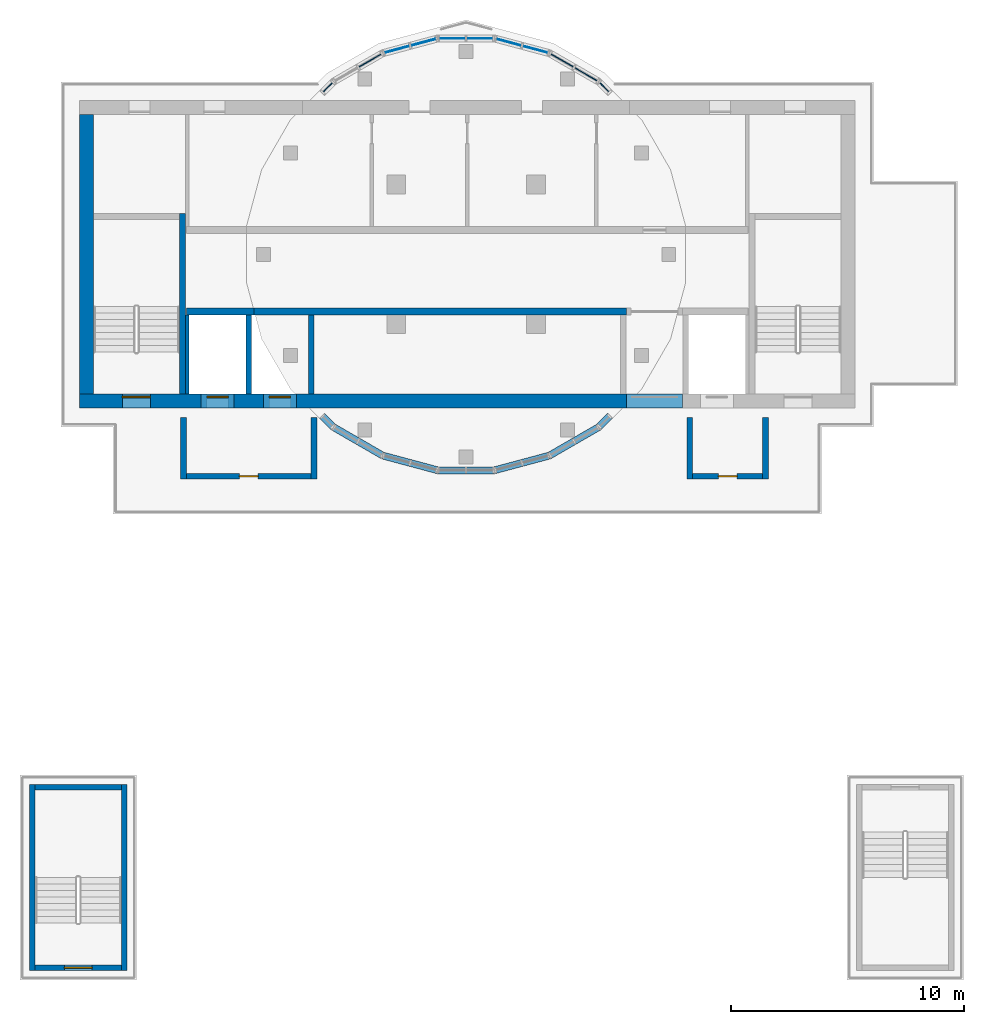
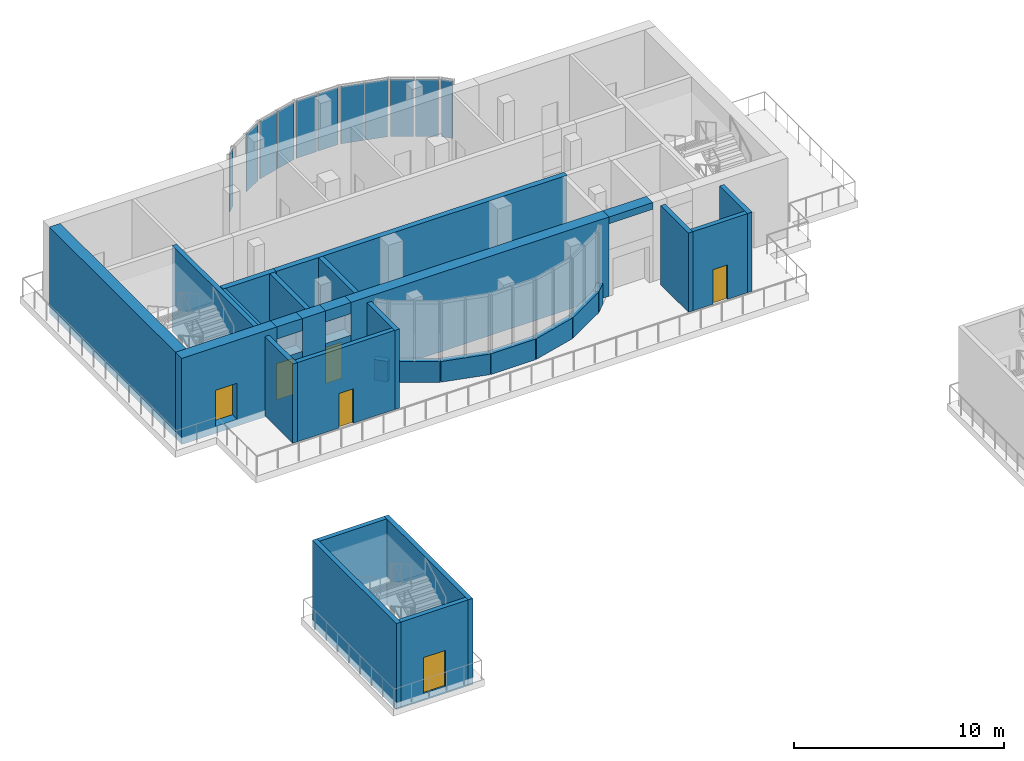
# One storey, part 4 of 10: 32 walls, 11 plates, 6 doors, 6 openings, 7 elements without a shape of their own.
"""IFC4 building model written with IfcOpenShell, lengths in metres."""

import ifcopenshell
import ifcopenshell.guid

model = None  # the IFC model being written
_history = None  # IfcOwnerHistory: only IFC2X3 demands one
_inside = {}  # id of a spatial element -> (the spatial element, [elements in it])
_under = {}  # id of a project, library or spatial element -> (it, [spatial elements below it])
_declared = {}  # id of a project -> (the project, [libraries it declares])
_typed = {}  # id of a type object -> (the type object, [elements of that type])
_made_of = {}  # id of a material, layer set ... -> (it, [elements and type objects made of it])


def new_model(schema):
    """Start an empty IFC model of exactly this schema.

    Asked for "IFC4X3", IfcOpenShell would pick the latest addendum, in which some entities
    have other attributes; the version numbers below select the first issue.
    IFC2X3 requires an IfcOwnerHistory on every rooted entity: one is made here for all.
    """
    global model, _history
    if schema == "IFC4X3":
        model = ifcopenshell.file(schema_version=(4, 3, 0, 0))
    else:
        model = ifcopenshell.file(schema=schema)
    _inside.clear()
    _under.clear()
    _declared.clear()
    _typed.clear()
    _made_of.clear()
    _history = None
    if model.schema == "IFC2X3":
        org = make("IfcOrganization", Name="unknown")
        user = make(
            "IfcPersonAndOrganization",
            ThePerson=make("IfcPerson", FamilyName="unknown"),
            TheOrganization=org,
        )
        app = make(
            "IfcApplication",
            ApplicationDeveloper=org,
            Version="unknown",
            ApplicationFullName="unknown",
            ApplicationIdentifier="unknown",
        )
        _history = make(
            "IfcOwnerHistory",
            OwningUser=user,
            OwningApplication=app,
            ChangeAction="ADDED",
            CreationDate=0,
        )
    return model


def make(cls, **values):
    """One entity of the class cls with the attributes given. An attribute that is None is left unset."""
    return model.create_entity(
        cls, **{name: value for name, value in values.items() if value is not None}
    )


def rooted(cls, **values):
    """An entity with a GlobalId (a new one), such as an element, a storey or a relation."""
    return make(cls, GlobalId=ifcopenshell.guid.new(), OwnerHistory=_history, **values)


def si_unit(unit_type, name, prefix=None):
    """IfcSIUnit, for example si_unit("LENGTHUNIT", "METRE", prefix="MILLI")."""
    return make("IfcSIUnit", UnitType=unit_type, Prefix=prefix, Name=name)


def assignment(units):
    """IfcUnitAssignment: the units of a project."""
    return None if units is None else make("IfcUnitAssignment", Units=units)


def point(xyz):
    """IfcCartesianPoint."""
    return None if xyz is None else make("IfcCartesianPoint", Coordinates=xyz)


def direction(xyz):
    """IfcDirection."""
    return None if xyz is None else make("IfcDirection", DirectionRatios=xyz)


def frame(location, z_axis=None, x_axis=None):
    """IfcAxis2Placement3D, a coordinate frame: its origin and axes. An axis left out is left unset."""
    return make(
        "IfcAxis2Placement3D",
        Location=point(location),
        Axis=direction(z_axis),
        RefDirection=direction(x_axis),
    )


def frame_2d(location, x_axis=None):
    """IfcAxis2Placement2D, a coordinate frame in the plane: its origin and x axis."""
    return make(
        "IfcAxis2Placement2D", Location=point(location), RefDirection=direction(x_axis)
    )


def origin():
    """The frame at (0, 0, 0) with its axes left unset."""
    return frame((0.0, 0.0, 0.0))


def origin_2d():
    """The frame at (0, 0) in the plane with its x axis left unset."""
    return frame_2d((0.0, 0.0))


def place(relative_to, where):
    """IfcLocalPlacement: puts the frame where relative to a parent placement (None: the world)."""
    return make(
        "IfcLocalPlacement", PlacementRelTo=relative_to, RelativePlacement=where
    )


def context(
    kind, dimensions, precision=None, world=None, true_north=None, identifier=None
):
    """IfcGeometricRepresentationContext, for example the 3D "Model" context."""
    return make(
        "IfcGeometricRepresentationContext",
        ContextIdentifier=identifier,
        ContextType=kind,
        CoordinateSpaceDimension=dimensions,
        Precision=precision,
        WorldCoordinateSystem=world,
        TrueNorth=true_north,
    )


def subcontext(parent, identifier, kind, view, scale=None):
    """IfcGeometricRepresentationSubContext, for example "Body" below "Model"."""
    return make(
        "IfcGeometricRepresentationSubContext",
        ContextIdentifier=identifier,
        ContextType=kind,
        ParentContext=parent,
        TargetScale=scale,
        TargetView=view,
    )


def project(units=None, contexts=None):
    """IfcProject with its units and contexts."""
    return rooted(
        "IfcProject",
        Name="project",
        RepresentationContexts=contexts,
        UnitsInContext=assignment(units),
    )


def spatial(cls, under=None, at=None, **own):
    """A site, building, storey or space (cls), placed at a placement, below another one or the project."""
    s = rooted(cls, ObjectPlacement=at, **own)
    if under is not None:
        _under.setdefault(under.id(), (under, []))[1].append(s)
    return s


def profile(cls, at=None, kind="AREA", **sizes):
    """A parametric profile (cls). Its sizes go by their IFC names, for example OverallWidth=200.0."""
    return make(cls, ProfileType=kind, Position=at, **sizes)


def rectangle(**sizes):
    """IfcRectangleProfileDef."""
    return profile("IfcRectangleProfileDef", **sizes)


def extrude(swept, where, along, depth):
    """IfcExtrudedAreaSolid: the profile swept, set in the frame where, extruded along a direction by depth."""
    return make(
        "IfcExtrudedAreaSolid",
        SweptArea=swept,
        Position=where,
        ExtrudedDirection=direction(along),
        Depth=depth,
    )


def shape(context_of_items, identifier, shape_type, items):
    """IfcShapeRepresentation: the items that make up one representation, for example the "Body"."""
    return make(
        "IfcShapeRepresentation",
        ContextOfItems=context_of_items,
        RepresentationIdentifier=identifier,
        RepresentationType=shape_type,
        Items=items,
    )


def source(mapping_origin, context_of_items, identifier, shape_type, items):
    """IfcRepresentationMap: a shape defined once, which mapped items show again and again."""
    return make(
        "IfcRepresentationMap",
        MappingOrigin=mapping_origin,
        MappedRepresentation=shape(context_of_items, identifier, shape_type, items),
    )


def transform(
    local_origin,
    x_axis=None,
    y_axis=None,
    z_axis=None,
    scale=None,
    scale2=None,
    scale3=None,
    uniform=True,
):
    """IfcCartesianTransformationOperator3D, or its non-uniform kind. x_axis, y_axis, z_axis: its Axis1, 2, 3."""
    if uniform:
        return make(
            "IfcCartesianTransformationOperator3D",
            Axis1=direction(x_axis),
            Axis2=direction(y_axis),
            LocalOrigin=point(local_origin),
            Scale=scale,
            Axis3=direction(z_axis),
        )
    return make(
        "IfcCartesianTransformationOperator3DnonUniform",
        Axis1=direction(x_axis),
        Axis2=direction(y_axis),
        LocalOrigin=point(local_origin),
        Scale=scale,
        Axis3=direction(z_axis),
        Scale2=scale2,
        Scale3=scale3,
    )


def mapped(mapping_source, mapping_target):
    """IfcMappedItem: shows the shape of a source again, moved by a transform."""
    return make(
        "IfcMappedItem", MappingSource=mapping_source, MappingTarget=mapping_target
    )


def material(Name=None, Category=None):
    """IfcMaterial."""
    return make("IfcMaterial", Name=Name, Category=Category)


def layer(
    of_material, thickness, ventilated=None, Name=None, Category=None, Priority=None
):
    """IfcMaterialLayer: one layer of a wall or slab, of a material (None: an air gap)."""
    return make(
        "IfcMaterialLayer",
        Material=of_material,
        LayerThickness=thickness,
        IsVentilated=ventilated,
        Name=Name,
        Category=Category,
        Priority=Priority,
    )


def layer_set(layers, Name=None):
    """IfcMaterialLayerSet."""
    return make("IfcMaterialLayerSet", MaterialLayers=layers, LayerSetName=Name)


def made_of(thing, what):
    """Note that an element or type object is made of a material, layer set ...; save() writes the relation."""
    if what is not None:
        _made_of.setdefault(what.id(), (what, []))[1].append(thing)
    return thing


def type_object(cls, material=None, **own):
    """A type object (cls), such as IfcWallType, which elements share."""
    return made_of(rooted(cls, **own), material)


def element(
    cls,
    number,
    at=None,
    inside=None,
    cuts=None,
    type_object=None,
    material=None,
    context=None,
    identifier="Body",
    shape_type=None,
    held_by="IfcProductDefinitionShape",
    body=None,
    shapes=None,
    **own,
):
    """One element of the class cls, such as IfcWall. Its Tag is "e" and its number.

    at: its placement. inside: the storey or other place that contains it. cuts: it is an
    opening in that element (IfcRelVoidsElement). A single representation is given by context,
    identifier, shape_type and body (its items); several are given by shapes. held_by: the class
    of the entity that holds the representations. save() writes the other relations.
    """
    e = rooted(cls, Tag="e%d" % number, ObjectPlacement=at, **own)
    if body is not None:
        shapes = [shape(context, identifier, shape_type, body)]
    if shapes is not None:
        e.Representation = make(held_by, Representations=shapes)
    if inside is not None:
        _inside.setdefault(inside.id(), (inside, []))[1].append(e)
    if cuts is not None:
        rooted(
            "IfcRelVoidsElement", RelatingBuildingElement=cuts, RelatedOpeningElement=e
        )
    if type_object is not None:
        _typed.setdefault(type_object.id(), (type_object, []))[1].append(e)
    return made_of(e, material)


def fill(opening, filler):
    """IfcRelFillsElement: the door or window that sits in an opening."""
    return rooted(
        "IfcRelFillsElement",
        RelatingOpeningElement=opening,
        RelatedBuildingElement=filler,
    )


def aggregate(whole, parts):
    """IfcRelAggregates: a whole, such as a stair, and the parts it consists of."""
    return rooted("IfcRelAggregates", RelatingObject=whole, RelatedObjects=parts)


def save(model, path):
    """Write the relations noted so far, then the file.

    IfcRelAggregates (storeys below a building ...), IfcRelContainedInSpatialStructure (elements
    in a storey), IfcRelDefinesByType, IfcRelAssociatesMaterial and IfcRelDeclares: one each for
    every whole, place, type object, material and project.
    """
    for whole, parts in _under.values():
        aggregate(whole, parts)
    for where, things in _inside.values():
        rooted(
            "IfcRelContainedInSpatialStructure",
            RelatedElements=things,
            RelatingStructure=where,
        )
    for kind, things in _typed.values():
        rooted("IfcRelDefinesByType", RelatedObjects=things, RelatingType=kind)
    for what, things in _made_of.values():
        rooted("IfcRelAssociatesMaterial", RelatedObjects=things, RelatingMaterial=what)
    for by, libraries in _declared.values():
        rooted("IfcRelDeclares", RelatingContext=by, RelatedDefinitions=libraries)
    model.write(path)


model = new_model("IFC4")

# Units and contexts
model_context = context("Model", 3, precision=1e-05, world=origin(), true_north=direction((0.0, 1.0)))
body_context = subcontext(model_context, "Body", "Model", "MODEL_VIEW")
ifc_project = project(units=[si_unit("LENGTHUNIT", "METRE"), si_unit("AREAUNIT", "SQUARE_METRE"), si_unit("VOLUMEUNIT", "CUBIC_METRE"), si_unit("PLANEANGLEUNIT", "RADIAN"), si_unit("MASSUNIT", "GRAM", prefix="KILO")], contexts=[model_context])

# Site, building, storey
site_placement = place(None, origin())
site = spatial("IfcSite", under=ifc_project, at=site_placement, CompositionType="ELEMENT")
building_placement = place(site_placement, origin())
building = spatial("IfcBuilding", under=site, at=building_placement, Name="Kilnfold Tower and Market Hall", CompositionType="ELEMENT")
storey_placement = place(building_placement, frame((0.0, 0.0, 323.800048828125)))
storey = spatial("IfcBuildingStorey", under=building, at=storey_placement, Name="L81 Crown Plant", CompositionType="ELEMENT", Elevation=323.800048828125)

# Curtain wall, plates
ifc_material_1 = material(Name="Aluminium and double glazing", Category="aluminium")
curtain_wall_type = type_object("IfcCurtainWallType", Name="CW CROWN CLERESTORY", PredefinedType="NOTDEFINED", material=ifc_material_1)
curtain_wall_1_placement = place(storey_placement, origin())
curtain_wall_1 = element("IfcCurtainWall", 1, at=curtain_wall_1_placement, inside=storey, type_object=curtain_wall_type, Name="Curtain wall CW6 L81 D13", PredefinedType="NOTDEFINED")
ifc_material_2 = material(Name="Double glazed unit")
ifc_layer_1 = layer(ifc_material_2, 0.0380859375)
ifc_layer_set_1 = layer_set([ifc_layer_1], Name="Double glazed unit")
plate_type = type_object("IfcPlateType", Name="GLAZING PANEL 38", PredefinedType="CURTAIN_PANEL", material=ifc_layer_set_1)
shared_shape_1 = source(origin(), body_context, "Body", "SweptSolid", [
    extrude(rectangle(XDim=1.10791015625, YDim=0.0380859375, at=origin_2d()), origin(), (0.0, 0.0, 1.0), 3.324951171875),
])
plate_1_placement = place(storey_placement, frame((1.59130859375, 24.268798828125, 1.2001953125), z_axis=(0.0, 0.0, 1.0), x_axis=(-1.0, 0.0, 0.0)))
plate_1 = element("IfcPlate", 2, at=plate_1_placement, type_object=plate_type, Name="CW6 panel 1.1", PredefinedType="CURTAIN_PANEL", context=body_context, shape_type="MappedRepresentation", body=[
    mapped(shared_shape_1, transform((0.0, 0.0, 0.0))),
])
plate_2_placement = place(storey_placement, frame((0.40869140625, 24.268798828125, 1.2001953125), z_axis=(0.0, 0.0, 1.0), x_axis=(-1.0, 0.0, 0.0)))
plate_2 = element("IfcPlate", 3, at=plate_2_placement, type_object=plate_type, Name="CW6 panel 2.1", PredefinedType="CURTAIN_PANEL", context=body_context, shape_type="MappedRepresentation", body=[
    mapped(shared_shape_1, transform((0.0, 0.0, 0.0))),
])
aggregate(curtain_wall_1, [plate_1, plate_2])

curtain_wall_2_placement = place(storey_placement, origin())
curtain_wall_2 = element("IfcCurtainWall", 4, at=curtain_wall_2_placement, inside=storey, type_object=curtain_wall_type, Name="Curtain wall CW6 L81 D11", PredefinedType="NOTDEFINED")
shared_shape_2 = source(origin(), body_context, "Body", "SweptSolid", [
    extrude(rectangle(XDim=1.107666015625, YDim=0.0380859375, at=origin_2d()), origin(), (0.0, 0.0, 1.0), 3.324951171875),
])
plate_3_placement = place(storey_placement, frame((6.146484375, 22.7314453125, 1.2001953125), z_axis=(0.0, 0.0, 1.0), x_axis=(-0.866030690129, 0.499990843671, 0.0)))
plate_3 = element("IfcPlate", 5, at=plate_3_placement, type_object=plate_type, Name="CW6 panel 1.1", PredefinedType="CURTAIN_PANEL", context=body_context, shape_type="MappedRepresentation", body=[
    mapped(shared_shape_2, transform((0.0, 0.0, 0.0))),
])
plate_4_placement = place(storey_placement, frame((5.122314453125, 23.32275390625, 1.2001953125), z_axis=(0.0, 0.0, 1.0), x_axis=(-0.866030690129, 0.499990843671, 0.0)))
plate_4 = element("IfcPlate", 6, at=plate_4_placement, type_object=plate_type, Name="CW6 panel 2.1", PredefinedType="CURTAIN_PANEL", context=body_context, shape_type="MappedRepresentation", body=[
    mapped(shared_shape_2, transform((0.0, 0.0, 0.0))),
])
aggregate(curtain_wall_2, [plate_3, plate_4])

curtain_wall_3_placement = place(storey_placement, origin())
curtain_wall_3 = element("IfcCurtainWall", 7, at=curtain_wall_3_placement, inside=storey, type_object=curtain_wall_type, Name="Curtain wall CW6 L81 D12", PredefinedType="NOTDEFINED")
plate_5_placement = place(storey_placement, frame((3.97021484375, 23.7998046875, 1.2001953125), z_axis=(0.0, 0.0, 1.0), x_axis=(-0.965929578708, 0.258805040479, 0.0)))
plate_5 = element("IfcPlate", 8, at=plate_5_placement, type_object=plate_type, Name="CW6 panel 1.1", PredefinedType="CURTAIN_PANEL", context=body_context, shape_type="MappedRepresentation", body=[
    mapped(shared_shape_2, transform((0.0, 0.0, 0.0))),
])
plate_6_placement = place(storey_placement, frame((2.82763671875, 24.10595703125, 1.2001953125), z_axis=(0.0, 0.0, 1.0), x_axis=(-0.965929578708, 0.258805040479, 0.0)))
plate_6 = element("IfcPlate", 9, at=plate_6_placement, type_object=plate_type, Name="CW6 panel 2.1", PredefinedType="CURTAIN_PANEL", context=body_context, shape_type="MappedRepresentation", body=[
    mapped(shared_shape_2, transform((0.0, 0.0, 0.0))),
])
aggregate(curtain_wall_3, [plate_5, plate_6])

curtain_wall_4_placement = place(storey_placement, origin())
curtain_wall_4 = element("IfcCurtainWall", 10, at=curtain_wall_4_placement, inside=storey, type_object=curtain_wall_type, Name="Curtain wall CW6 L81 D14", PredefinedType="NOTDEFINED")
plate_7_placement = place(storey_placement, frame((-0.82763671875, 24.10595703125, 1.2001953125), z_axis=(0.0, 0.0, 1.0), x_axis=(-0.965929578708, -0.258805040479, 0.0)))
plate_7 = element("IfcPlate", 11, at=plate_7_placement, type_object=plate_type, Name="CW6 panel 1.1", PredefinedType="CURTAIN_PANEL", context=body_context, shape_type="MappedRepresentation", body=[
    mapped(shared_shape_2, transform((0.0, 0.0, 0.0))),
])
plate_8_placement = place(storey_placement, frame((-1.97021484375, 23.7998046875, 1.2001953125), z_axis=(0.0, 0.0, 1.0), x_axis=(-0.965929578708, -0.258805040479, 0.0)))
plate_8 = element("IfcPlate", 12, at=plate_8_placement, type_object=plate_type, Name="CW6 panel 2.1", PredefinedType="CURTAIN_PANEL", context=body_context, shape_type="MappedRepresentation", body=[
    mapped(shared_shape_2, transform((0.0, 0.0, 0.0))),
])
aggregate(curtain_wall_4, [plate_7, plate_8])

# Curtain wall, plate
curtain_wall_5_placement = place(storey_placement, origin())
curtain_wall_5 = element("IfcCurtainWall", 13, at=curtain_wall_5_placement, inside=storey, type_object=curtain_wall_type, Name="Curtain wall CW6 L81 D15", PredefinedType="NOTDEFINED")
plate_9_placement = place(storey_placement, frame((-3.122314453125, 23.32275390625, 1.2001953125), z_axis=(0.0, 0.0, 1.0), x_axis=(-0.866030690129, -0.499990843671, 0.0)))
plate_9 = element("IfcPlate", 14, at=plate_9_placement, type_object=plate_type, Name="CW6 panel 1.1", PredefinedType="CURTAIN_PANEL", context=body_context, shape_type="MappedRepresentation", body=[
    mapped(shared_shape_2, transform((0.0, 0.0, 0.0))),
])
aggregate(curtain_wall_5, [plate_9])

curtain_wall_6_placement = place(storey_placement, origin())
curtain_wall_6 = element("IfcCurtainWall", 15, at=curtain_wall_6_placement, inside=storey, type_object=curtain_wall_type, Name="Curtain wall CW6 L81 D10", PredefinedType="NOTDEFINED")
shared_shape_3 = source(origin(), body_context, "Body", "SweptSolid", [
    extrude(rectangle(XDim=0.547119140625, YDim=0.0380859375, at=origin_2d()), origin(), (0.0, 0.0, 1.0), 3.324951171875),
])
plate_10_placement = place(storey_placement, frame((6.9375, 22.17041015625, 1.2001953125), z_axis=(0.0, 0.0, 1.0), x_axis=(-0.707035055596, 0.707178499502, 0.0)))
plate_10 = element("IfcPlate", 16, at=plate_10_placement, type_object=plate_type, Name="CW6 panel 1.1", PredefinedType="CURTAIN_PANEL", context=body_context, shape_type="MappedRepresentation", body=[
    mapped(shared_shape_3, transform((0.0, 0.0, 0.0))),
])
aggregate(curtain_wall_6, [plate_10])

curtain_wall_7_placement = place(storey_placement, origin())
curtain_wall_7 = element("IfcCurtainWall", 17, at=curtain_wall_7_placement, inside=storey, type_object=curtain_wall_type, Name="Curtain wall CW6 L81 D16", PredefinedType="NOTDEFINED")
plate_11_placement = place(storey_placement, frame((-4.9375, 22.17041015625, 1.2001953125), z_axis=(0.0, 0.0, 1.0), x_axis=(-0.707035055596, -0.707178499502, 0.0)))
plate_11 = element("IfcPlate", 18, at=plate_11_placement, type_object=plate_type, Name="CW6 panel 1.1", PredefinedType="CURTAIN_PANEL", context=body_context, shape_type="MappedRepresentation", body=[
    mapped(shared_shape_3, transform((0.0, 0.0, 0.0))),
])
aggregate(curtain_wall_7, [plate_11])

# Wall
ifc_material_3 = material(Name="Concrete C50", Category="concrete")
ifc_layer_2 = layer(ifc_material_3, 0.25)
ifc_layer_set_2 = layer_set([ifc_layer_2], Name="Concrete C50")
wall_type_1 = type_object("IfcWallType", Name="CORE WALL 250 C50", PredefinedType="SHEAR", material=ifc_layer_set_2)
shared_shape_4 = source(origin(), body_context, "Body", "SweptSolid", [
    extrude(rectangle(XDim=7.75, YDim=0.25, at=frame_2d((3.875, 0.0))), origin(), (0.0, 0.0, 1.0), 5.0),
])
wall_1_placement = place(storey_placement, frame((-11.175048828125, 9.0, -0.400146484375), z_axis=(0.0, 0.0, 1.0), x_axis=(0.0, 1.0, 0.0)))
element("IfcWall", 19, at=wall_1_placement, inside=storey, type_object=wall_type_1, Name="Stair enclosure ST1", PredefinedType="SHEAR", context=body_context, shape_type="MappedRepresentation", body=[
    mapped(shared_shape_4, transform((0.0, 0.0, 0.0))),
])

# Wall, opening, door
shared_shape_5 = source(origin(), body_context, "Body", "SweptSolid", [
    extrude(rectangle(XDim=3.699951171875, YDim=0.25, at=frame_2d((1.85009765625, 0.0))), origin(), (0.0, 0.0, 1.0), 5.0),
])
wall_2_placement = place(storey_placement, frame((-17.5, -15.625, -0.400146484375), z_axis=(0.0, 0.0, 1.0), x_axis=(1.0, 0.0, 0.0)))
wall_2 = element("IfcWall", 20, at=wall_2_placement, inside=storey, type_object=wall_type_1, Name="Stair enclosure ST3", PredefinedType="SHEAR", context=body_context, shape_type="MappedRepresentation", body=[
    mapped(shared_shape_5, transform((0.0, 0.0, 0.0))),
])
opening_1_placement = place(wall_2_placement, frame((1.25, 0.0, 0.39990234375)))
opening_1 = element("IfcOpeningElement", 21, at=opening_1_placement, cuts=wall_2, Name="Opening SD1", PredefinedType="OPENING", context=body_context, shape_type="SweptSolid", body=[
    extrude(rectangle(XDim=1.199951171875, YDim=2.10009765625, at=frame_2d((0.60009765625, 1.050048828125))), frame((0.0, 0.135009765625, 0.0), z_axis=(0.0, -1.0, 0.0), x_axis=(1.0, 0.0, 0.0)), (0.0, 0.0, 1.0), 0.27001953125),
])
ifc_material_4 = material(Name="Steel door set with fire-resisting leaf", Category="steel")
door_type_1 = type_object("IfcDoorType", Name="STAIR FLOOR DOOR 1200X2100", OperationType="NOTDEFINED", PredefinedType="DOOR", material=ifc_material_4)
door_1_placement = place(opening_1_placement, origin())
door_1 = element("IfcDoor", 22, at=door_1_placement, inside=storey, type_object=door_type_1, Name="Exit stair ST3 door", OperationType="DOUBLE_DOOR_SINGLE_SWING", OverallHeight=2.10009765625, OverallWidth=1.199951171875, PredefinedType="DOOR", context=body_context, shape_type="SweptSolid", body=[
    extrude(rectangle(XDim=1.199951171875, YDim=2.10009765625, at=frame_2d((0.60009765625, 1.050048828125))), frame((0.0, 0.02490234375, 0.0), z_axis=(0.0, -1.0, 0.0), x_axis=(1.0, 0.0, 0.0)), (0.0, 0.0, 1.0), 0.050048828125),
])
fill(opening_1, door_1)

# Walls
wall_3_placement = place(storey_placement, frame((-17.5, -7.875, -0.400146484375), z_axis=(0.0, 0.0, 1.0), x_axis=(1.0, 0.0, 0.0)))
element("IfcWall", 23, at=wall_3_placement, inside=storey, type_object=wall_type_1, Name="Stair enclosure ST3", PredefinedType="SHEAR", context=body_context, shape_type="MappedRepresentation", body=[
    mapped(shared_shape_5, transform((0.0, 0.0, 0.0))),
])
shared_shape_6 = source(origin(), body_context, "Body", "SweptSolid", [
    extrude(rectangle(XDim=8.0, YDim=0.25, at=frame_2d((4.0, 0.0))), origin(), (0.0, 0.0, 1.0), 5.0),
])
for number, where, z_axis, x_axis, name in (
    (24, (-17.625, -15.75, -0.400146484375), (0.0, 0.0, 1.0), (0.0, 1.0, 0.0), "Stair enclosure ST3"),
    (25, (-13.675048828125, -15.75, -0.400146484375), (0.0, 0.0, 1.0), (0.0, 1.0, 0.0), "Stair enclosure ST3"),
):
    element("IfcWall", number, at=place(storey_placement, frame(where, z_axis=z_axis, x_axis=x_axis)), inside=storey, type_object=wall_type_1, Name=name, PredefinedType="SHEAR", context=body_context, shape_type="MappedRepresentation", body=[
        mapped(shared_shape_6, transform((0.0, 0.0, 0.0))),
    ])

# Wall, opening, door
ifc_material_5 = material(Name="Concrete C50", Category="concrete")
ifc_layer_3 = layer(ifc_material_5, 0.60009765625)
ifc_layer_set_3 = layer_set([ifc_layer_3], Name="Concrete C50")
wall_type_2 = type_object("IfcWallType", Name="CORE WALL 600 C50", PredefinedType="SHEAR", material=ifc_layer_set_3)
shared_shape_7 = source(origin(), body_context, "Body", "SweptSolid", [
    extrude(rectangle(XDim=5.22998046875, YDim=0.60009765625, at=frame_2d((2.614990234375, 0.0))), origin(), (0.0, 0.0, 1.0), 5.0),
])
wall_4_placement = place(storey_placement, frame((-15.60009765625, 8.699951171875, -0.400146484375), z_axis=(0.0, 0.0, 1.0), x_axis=(1.0, 0.0, 0.0)))
wall_4 = element("IfcWall", 26, at=wall_4_placement, inside=storey, type_object=wall_type_2, Name="Core outer wall south", PredefinedType="SHEAR", context=body_context, shape_type="MappedRepresentation", body=[
    mapped(shared_shape_7, transform((0.0, 0.0, 0.0))),
])
opening_2_placement = place(wall_4_placement, frame((1.85009765625, 0.0, 0.39990234375)))
opening_2 = element("IfcOpeningElement", 27, at=opening_2_placement, cuts=wall_4, Name="Opening SD1", PredefinedType="OPENING", context=body_context, shape_type="SweptSolid", body=[
    extrude(rectangle(XDim=1.199951171875, YDim=2.10009765625, at=frame_2d((0.60009765625, 1.050048828125))), frame((0.0, 0.31005859375, 0.0), z_axis=(0.0, -1.0, 0.0), x_axis=(1.0, 0.0, 0.0)), (0.0, 0.0, 1.0), 0.6201171875),
])
door_2_placement = place(opening_2_placement, origin())
door_2 = element("IfcDoor", 28, at=door_2_placement, inside=storey, type_object=door_type_1, Name="Exit stair ST1 door", OperationType="DOUBLE_DOOR_SINGLE_SWING", OverallHeight=2.10009765625, OverallWidth=1.199951171875, PredefinedType="DOOR", context=body_context, shape_type="SweptSolid", body=[
    extrude(rectangle(XDim=1.199951171875, YDim=2.10009765625, at=frame_2d((0.60009765625, 1.050048828125))), frame((0.0, 0.205078125, 0.0), z_axis=(0.0, -1.0, 0.0), x_axis=(1.0, 0.0, 0.0)), (0.0, 0.0, 1.0), 0.050048828125),
])
fill(opening_2, door_2)

# Walls
shared_shape_8 = source(origin(), body_context, "Body", "SweptSolid", [
    extrude(rectangle(XDim=1.280029296875, YDim=0.60009765625, at=frame_2d((0.64013671875, 0.0))), origin(), (0.0, 0.0, 1.0), 5.0),
])
wall_5_placement = place(storey_placement, frame((-8.969970703125, 8.699951171875, -0.400146484375), z_axis=(0.0, 0.0, 1.0), x_axis=(1.0, 0.0, 0.0)))
element("IfcWall", 29, at=wall_5_placement, inside=storey, type_object=wall_type_2, Name="Core outer wall south", PredefinedType="SHEAR", context=body_context, shape_type="MappedRepresentation", body=[
    mapped(shared_shape_8, transform((0.0, 0.0, 0.0))),
])
shared_shape_9 = source(origin(), body_context, "Body", "SweptSolid", [
    extrude(rectangle(XDim=14.179931640625, YDim=0.60009765625, at=frame_2d((7.08984375, 0.0))), origin(), (0.0, 0.0, 1.0), 4.599853515625),
])
wall_6_placement = place(storey_placement, frame((-6.2900390625, 8.699951171875, 0.0), z_axis=(0.0, 0.0, 1.0), x_axis=(1.0, 0.0, 0.0)))
element("IfcWall", 30, at=wall_6_placement, inside=storey, type_object=wall_type_2, Name="Core outer wall south", PredefinedType="SHEAR", context=body_context, shape_type="MappedRepresentation", body=[
    mapped(shared_shape_9, transform((0.0, 0.0, 0.0))),
])
shared_shape_10 = source(origin(), body_context, "Body", "SweptSolid", [
    extrude(rectangle(XDim=12.0, YDim=0.60009765625, at=frame_2d((6.0, 0.0))), origin(), (0.0, 0.0, 1.0), 5.0),
])
wall_7_placement = place(storey_placement, frame((-15.300048828125, 9.0, -0.400146484375), z_axis=(0.0, 0.0, 1.0), x_axis=(0.0, 1.0, 0.0)))
element("IfcWall", 31, at=wall_7_placement, inside=storey, type_object=wall_type_2, Name="Core outer wall west", PredefinedType="SHEAR", context=body_context, shape_type="MappedRepresentation", body=[
    mapped(shared_shape_10, transform((0.0, 0.0, 0.0))),
])
ifc_material_6 = material(Name="Concrete C50", Category="concrete")
ifc_layer_4 = layer(ifc_material_6, 0.300048828125)
ifc_layer_set_4 = layer_set([ifc_layer_4], Name="Concrete C50")
wall_type_3 = type_object("IfcWallType", Name="CORE WALL 300 C50", PredefinedType="SHEAR", material=ifc_layer_set_4)
shared_shape_11 = source(origin(), body_context, "Body", "SweptSolid", [
    extrude(rectangle(XDim=15.984375, YDim=0.300048828125, at=frame_2d((7.9921875, 0.0))), origin(), (0.0, 0.0, 1.0), 4.599853515625),
])
wall_8_placement = place(storey_placement, frame((-8.094482421875, 12.550048828125, 0.0), z_axis=(0.0, 0.0, 1.0), x_axis=(1.0, 0.0, 0.0)))
element("IfcWall", 32, at=wall_8_placement, inside=storey, type_object=wall_type_3, Name="Core spine wall", PredefinedType="SHEAR", context=body_context, shape_type="MappedRepresentation", body=[
    mapped(shared_shape_11, transform((0.0, 0.0, 0.0))),
])
shared_shape_12 = source(origin(), body_context, "Body", "SweptSolid", [
    extrude(rectangle(XDim=2.91552734375, YDim=0.300048828125, at=frame_2d((1.457763671875, 0.0))), origin(), (0.0, 0.0, 1.0), 5.0),
])
wall_9_placement = place(storey_placement, frame((-11.010009765625, 12.550048828125, -0.400146484375), z_axis=(0.0, 0.0, 1.0), x_axis=(1.0, 0.0, 0.0)))
element("IfcWall", 33, at=wall_9_placement, inside=storey, type_object=wall_type_3, Name="Core spine wall", PredefinedType="SHEAR", context=body_context, shape_type="MappedRepresentation", body=[
    mapped(shared_shape_12, transform((0.0, 0.0, 0.0))),
])
shared_shape_13 = source(origin(), body_context, "Body", "SweptSolid", [
    extrude(rectangle(XDim=1.400146484375, YDim=0.60009765625, at=frame_2d((0.7001953125, 0.0))), origin(), (0.0, 0.0, 1.0), 0.699951171875),
])
wall_10_placement = place(storey_placement, frame((-10.3701171875, 8.699951171875, 3.89990234375), z_axis=(0.0, 0.0, 1.0), x_axis=(1.0, 0.0, 0.0)))
element("IfcWall", 34, at=wall_10_placement, inside=storey, type_object=wall_type_2, Name="Core wall over opening", PredefinedType="SHEAR", context=body_context, shape_type="MappedRepresentation", body=[
    mapped(shared_shape_13, transform((0.0, 0.0, 0.0))),
])
shared_shape_14 = source(origin(), body_context, "Body", "SweptSolid", [
    extrude(rectangle(XDim=1.39990234375, YDim=0.60009765625, at=frame_2d((0.699951171875, 0.0))), origin(), (0.0, 0.0, 1.0), 0.64990234375),
])
wall_11_placement = place(storey_placement, frame((-7.68994140625, 8.699951171875, 3.949951171875), z_axis=(0.0, 0.0, 1.0), x_axis=(1.0, 0.0, 0.0)))
element("IfcWall", 35, at=wall_11_placement, inside=storey, type_object=wall_type_2, Name="Core wall over opening", PredefinedType="SHEAR", context=body_context, shape_type="MappedRepresentation", body=[
    mapped(shared_shape_14, transform((0.0, 0.0, 0.0))),
])
shared_shape_15 = source(origin(), body_context, "Body", "SweptSolid", [
    extrude(rectangle(XDim=2.400146484375, YDim=0.60009765625, at=frame_2d((1.2001953125, 0.0))), origin(), (0.0, 0.0, 1.0), 0.39990234375),
])
wall_12_placement = place(storey_placement, frame((7.889892578125, 8.699951171875, 4.199951171875), z_axis=(0.0, 0.0, 1.0), x_axis=(1.0, 0.0, 0.0)))
element("IfcWall", 36, at=wall_12_placement, inside=storey, type_object=wall_type_2, Name="Core wall over opening", PredefinedType="SHEAR", context=body_context, shape_type="MappedRepresentation", body=[
    mapped(shared_shape_15, transform((0.0, 0.0, 0.0))),
])
ifc_material_7 = material(Name="Precast concrete C50/60", Category="concrete")
ifc_layer_5 = layer(ifc_material_7, 0.300048828125)
ifc_layer_set_5 = layer_set([ifc_layer_5], Name="Precast concrete C50/60")
wall_type_4 = type_object("IfcWallType", Name="PRECAST WALL 300", PredefinedType="SOLIDWALL", material=ifc_layer_set_5)
shared_shape_16 = source(origin(), body_context, "Body", "SweptSolid", [
    extrude(rectangle(XDim=2.4404296875, YDim=0.300048828125, at=frame_2d((1.22021484375, 0.0))), origin(), (0.0, 0.0, 1.0), 1.199951171875),
])
for number, where, z_axis, x_axis, name in (
    (37, (-0.22021484375, 5.731201171875, 0.0), (0.0, 0.0, 1.0), (1.0, 0.0, 0.0), "Drum knee wall L81 1"),
    (38, (4.57763671875, 6.36279296875, 0.0), (0.0, 0.0, 1.0), (0.866030657337, 0.49999090047, 0.0), "Drum knee wall L81 3"),
    (39, (-4.691162109375, 7.5830078125, 0.0), (0.0, 0.0, 1.0), (0.866030657337, -0.49999090047, 0.0), "Drum knee wall L81 23"),
):
    element("IfcWall", number, at=place(storey_placement, frame(where, z_axis=z_axis, x_axis=x_axis)), inside=storey, type_object=wall_type_4, Name=name, PredefinedType="SOLIDWALL", context=body_context, shape_type="MappedRepresentation", body=[
        mapped(shared_shape_16, transform((0.0, 0.0, 0.0))),
    ])
shared_shape_17 = source(origin(), body_context, "Body", "SweptSolid", [
    extrude(rectangle(XDim=0.697265625, YDim=0.300048828125, at=frame_2d((0.3486328125, 0.0))), origin(), (0.0, 0.0, 1.0), 1.199951171875),
])
for number, where, z_axis, x_axis, name in (
    (40, (6.691162109375, 7.5830078125, 0.0), (0.0, 0.0, 1.0), (0.706931689754, 0.707281829274, 0.0), "Drum knee wall L81 4"),
    (41, (-5.18408203125, 8.076171875, 0.0), (0.0, 0.0, 1.0), (0.706931689754, -0.707281829274, 0.0), "Drum knee wall L81 22"),
):
    element("IfcWall", number, at=place(storey_placement, frame(where, z_axis=z_axis, x_axis=x_axis)), inside=storey, type_object=wall_type_4, Name=name, PredefinedType="SOLIDWALL", context=body_context, shape_type="MappedRepresentation", body=[
        mapped(shared_shape_17, transform((0.0, 0.0, 0.0))),
    ])
shared_shape_18 = source(origin(), body_context, "Body", "SweptSolid", [
    extrude(rectangle(XDim=2.440673828125, YDim=0.300048828125, at=frame_2d((1.22021484375, 0.0))), origin(), (0.0, 0.0, 1.0), 1.199951171875),
])
for number, where, z_axis, x_axis, name in (
    (42, (2.22021484375, 5.731201171875, 0.0), (0.0, 0.0, 1.0), (0.96593376363, 0.258789420724, 0.0), "Drum knee wall L81 2"),
    (43, (-2.57763671875, 6.36279296875, 0.0), (0.0, 0.0, 1.0), (0.96593376363, -0.258789420724, 0.0), "Drum knee wall L81 24"),
):
    element("IfcWall", number, at=place(storey_placement, frame(where, z_axis=z_axis, x_axis=x_axis)), inside=storey, type_object=wall_type_4, Name=name, PredefinedType="SOLIDWALL", context=body_context, shape_type="MappedRepresentation", body=[
        mapped(shared_shape_18, transform((0.0, 0.0, 0.0))),
    ])

# Wall, opening, door
ifc_material_8 = material(Name="Gypsum shaft wall system")
ifc_layer_6 = layer(ifc_material_8, 0.60009765625)
ifc_layer_set_6 = layer_set([ifc_layer_6], Name="Gypsum shaft wall system")
wall_type_5 = type_object("IfcWallType", Name="LOBBY WALL 600", PredefinedType="PARTITIONING", material=ifc_layer_set_6)
shared_shape_19 = source(origin(), body_context, "Body", "SweptSolid", [
    extrude(rectangle(XDim=1.400146484375, YDim=0.60009765625, at=frame_2d((0.7001953125, 0.0))), origin(), (0.0, 0.0, 1.0), 2.699951171875),
])
wall_13_placement = place(storey_placement, frame((-10.3701171875, 8.699951171875, 0.0), z_axis=(0.0, 0.0, 1.0), x_axis=(1.0, 0.0, 0.0)))
wall_13 = element("IfcWall", 44, at=wall_13_placement, inside=storey, type_object=wall_type_5, Name="Core wall infill", PredefinedType="PARTITIONING", context=body_context, shape_type="MappedRepresentation", body=[
    mapped(shared_shape_19, transform((0.0, 0.0, 0.0))),
])
opening_3_placement = place(wall_13_placement, frame((0.25, 0.0, 0.0)))
opening_3 = element("IfcOpeningElement", 45, at=opening_3_placement, cuts=wall_13, Name="Opening LD1", PredefinedType="OPENING", context=body_context, shape_type="SweptSolid", body=[
    extrude(rectangle(XDim=0.89990234375, YDim=2.10009765625, at=frame_2d((0.449951171875, 1.050048828125))), frame((0.0, 0.31005859375, 0.0), z_axis=(0.0, -1.0, 0.0), x_axis=(1.0, 0.0, 0.0)), (0.0, 0.0, 1.0), 0.6201171875),
])
ifc_material_9 = material(Name="Steel door set with fire-resisting leaf", Category="steel")
door_type_2 = type_object("IfcDoorType", Name="FIREFIGHTING LANDING DOOR 900X2100", OperationType="NOTDEFINED", PredefinedType="DOOR", material=ifc_material_9)
door_3_placement = place(opening_3_placement, origin())
door_3 = element("IfcDoor", 46, at=door_3_placement, inside=storey, type_object=door_type_2, Name="Landing door FF1", OperationType="SLIDING_TO_LEFT", OverallHeight=2.10009765625, OverallWidth=0.89990234375, PredefinedType="DOOR", context=body_context, shape_type="SweptSolid", body=[
    extrude(rectangle(XDim=0.89990234375, YDim=2.10009765625, at=frame_2d((0.449951171875, 1.050048828125))), frame((0.0, 0.205078125, 0.0), z_axis=(0.0, -1.0, 0.0), x_axis=(1.0, 0.0, 0.0)), (0.0, 0.0, 1.0), 0.050048828125),
])
fill(opening_3, door_3)

shared_shape_20 = source(origin(), body_context, "Body", "SweptSolid", [
    extrude(rectangle(XDim=1.39990234375, YDim=0.60009765625, at=frame_2d((0.699951171875, 0.0))), origin(), (0.0, 0.0, 1.0), 2.699951171875),
])
wall_14_placement = place(storey_placement, frame((-7.68994140625, 8.699951171875, 0.0), z_axis=(0.0, 0.0, 1.0), x_axis=(1.0, 0.0, 0.0)))
wall_14 = element("IfcWall", 47, at=wall_14_placement, inside=storey, type_object=wall_type_5, Name="Core wall infill", PredefinedType="PARTITIONING", context=body_context, shape_type="MappedRepresentation", body=[
    mapped(shared_shape_20, transform((0.0, 0.0, 0.0))),
])
opening_4_placement = place(wall_14_placement, frame((0.25, 0.0, 0.0)))
opening_4 = element("IfcOpeningElement", 48, at=opening_4_placement, cuts=wall_14, Name="Opening LD1", PredefinedType="OPENING", context=body_context, shape_type="SweptSolid", body=[
    extrude(rectangle(XDim=0.89990234375, YDim=2.10009765625, at=frame_2d((0.449951171875, 1.050048828125))), frame((0.0, 0.31005859375, 0.0), z_axis=(0.0, -1.0, 0.0), x_axis=(1.0, 0.0, 0.0)), (0.0, 0.0, 1.0), 0.6201171875),
])
door_4_placement = place(opening_4_placement, origin())
door_4 = element("IfcDoor", 49, at=door_4_placement, inside=storey, type_object=door_type_2, Name="Landing door FF2", OperationType="SLIDING_TO_RIGHT", OverallHeight=2.10009765625, OverallWidth=0.89990234375, PredefinedType="DOOR", context=body_context, shape_type="SweptSolid", body=[
    extrude(rectangle(XDim=0.89990234375, YDim=2.10009765625, at=frame_2d((0.449951171875, 1.050048828125))), frame((0.0, 0.205078125, 0.0), z_axis=(0.0, -1.0, 0.0), x_axis=(1.0, 0.0, 0.0)), (0.0, 0.0, 1.0), 0.050048828125),
])
fill(opening_4, door_4)

# Walls
ifc_material_10 = material(Name="Gypsum shaft wall system")
ifc_layer_7 = layer(ifc_material_10, 0.25)
ifc_layer_set_7 = layer_set([ifc_layer_7], Name="Gypsum shaft wall system")
wall_type_6 = type_object("IfcWallType", Name="LOBBY WALL 250", PredefinedType="PARTITIONING", material=ifc_layer_set_7)
shared_shape_21 = source(origin(), body_context, "Body", "SweptSolid", [
    extrude(rectangle(XDim=2.64990234375, YDim=0.25, at=frame_2d((1.324951171875, 0.0))), origin(), (0.0, 0.0, 1.0), 4.599853515625),
])
for number, where, z_axis, x_axis, name in (
    (50, (-5.52490234375, 5.35009765625, 0.0), (0.0, 0.0, 1.0), (0.0, 1.0, 0.0), "Firefighting lobby wall"),
    (51, (-11.135009765625, 5.35009765625, 0.0), (0.0, 0.0, 1.0), (0.0, 1.0, 0.0), "Firefighting lobby wall"),
    (52, (10.60498046875, 5.35009765625, 0.0), (0.0, 0.0, 1.0), (0.0, 1.0, 0.0), "Firefighting lobby wall"),
    (53, (13.85498046875, 5.35009765625, 0.0), (0.0, 0.0, 1.0), (0.0, 1.0, 0.0), "Firefighting lobby wall"),
):
    element("IfcWall", number, at=place(storey_placement, frame(where, z_axis=z_axis, x_axis=x_axis)), inside=storey, type_object=wall_type_6, Name=name, PredefinedType="PARTITIONING", context=body_context, shape_type="MappedRepresentation", body=[
        mapped(shared_shape_21, transform((0.0, 0.0, 0.0))),
    ])

# Wall, opening, door
shared_shape_22 = source(origin(), body_context, "Body", "SweptSolid", [
    extrude(rectangle(XDim=5.360107421875, YDim=0.25, at=frame_2d((2.68017578125, 0.0))), origin(), (0.0, 0.0, 1.0), 4.599853515625),
])
wall_15_placement = place(storey_placement, frame((-11.010009765625, 5.47509765625, 0.0), z_axis=(0.0, 0.0, 1.0), x_axis=(1.0, 0.0, 0.0)))
wall_15 = element("IfcWall", 54, at=wall_15_placement, inside=storey, type_object=wall_type_6, Name="Firefighting lobby wall", PredefinedType="PARTITIONING", context=body_context, shape_type="MappedRepresentation", body=[
    mapped(shared_shape_22, transform((0.0, 0.0, 0.0))),
])
opening_5_placement = place(wall_15_placement, frame((2.280029296875, 0.0, 0.0)))
opening_5 = element("IfcOpeningElement", 55, at=opening_5_placement, cuts=wall_15, Name="Opening VD1", PredefinedType="OPENING", context=body_context, shape_type="SweptSolid", body=[
    extrude(rectangle(XDim=0.800048828125, YDim=2.0, at=frame_2d((0.39990234375, 1.0))), frame((0.0, 0.135009765625, 0.0), z_axis=(0.0, -1.0, 0.0), x_axis=(1.0, 0.0, 0.0)), (0.0, 0.0, 1.0), 0.27001953125),
])
ifc_material_11 = material(Name="Steel door set with fire-resisting leaf", Category="steel")
door_type_3 = type_object("IfcDoorType", Name="FIREFIGHTING LOBBY DOOR 800X2000", OperationType="NOTDEFINED", PredefinedType="DOOR", material=ifc_material_11)
door_5_placement = place(opening_5_placement, origin())
door_5 = element("IfcDoor", 56, at=door_5_placement, inside=storey, type_object=door_type_3, Name="Firefighting lobby door", OperationType="SINGLE_SWING_LEFT", OverallHeight=2.0, OverallWidth=0.800048828125, PredefinedType="DOOR", context=body_context, shape_type="SweptSolid", body=[
    extrude(rectangle(XDim=0.800048828125, YDim=2.0, at=frame_2d((0.39990234375, 1.0))), frame((0.0, 0.02490234375, 0.0), z_axis=(0.0, -1.0, 0.0), x_axis=(1.0, 0.0, 0.0)), (0.0, 0.0, 1.0), 0.050048828125),
])
fill(opening_5, door_5)

shared_shape_23 = source(origin(), body_context, "Body", "SweptSolid", [
    extrude(rectangle(XDim=3.0, YDim=0.25, at=frame_2d((1.5, 0.0))), origin(), (0.0, 0.0, 1.0), 4.599853515625),
])
wall_16_placement = place(storey_placement, frame((10.72998046875, 5.47509765625, 0.0), z_axis=(0.0, 0.0, 1.0), x_axis=(1.0, 0.0, 0.0)))
wall_16 = element("IfcWall", 57, at=wall_16_placement, inside=storey, type_object=wall_type_6, Name="Firefighting lobby wall", PredefinedType="PARTITIONING", context=body_context, shape_type="MappedRepresentation", body=[
    mapped(shared_shape_23, transform((0.0, 0.0, 0.0))),
])
opening_6_placement = place(wall_16_placement, frame((1.10009765625, 0.0, 0.0)))
opening_6 = element("IfcOpeningElement", 58, at=opening_6_placement, cuts=wall_16, Name="Opening VD1", PredefinedType="OPENING", context=body_context, shape_type="SweptSolid", body=[
    extrude(rectangle(XDim=0.800048828125, YDim=2.0, at=frame_2d((0.39990234375, 1.0))), frame((0.0, 0.135009765625, 0.0), z_axis=(0.0, -1.0, 0.0), x_axis=(1.0, 0.0, 0.0)), (0.0, 0.0, 1.0), 0.27001953125),
])
door_6_placement = place(opening_6_placement, origin())
door_6 = element("IfcDoor", 59, at=door_6_placement, inside=storey, type_object=door_type_3, Name="Firefighting lobby door", OperationType="SINGLE_SWING_RIGHT", OverallHeight=2.0, OverallWidth=0.800048828125, PredefinedType="DOOR", context=body_context, shape_type="SweptSolid", body=[
    extrude(rectangle(XDim=0.800048828125, YDim=2.0, at=frame_2d((0.39990234375, 1.0))), frame((0.0, 0.02490234375, 0.0), z_axis=(0.0, -1.0, 0.0), x_axis=(1.0, 0.0, 0.0)), (0.0, 0.0, 1.0), 0.050048828125),
])
fill(opening_6, door_6)

# Walls
ifc_material_12 = material(Name="Gypsum shaft wall system")
ifc_layer_8 = layer(ifc_material_12, 0.25)
ifc_layer_set_8 = layer_set([ifc_layer_8], Name="Gypsum shaft wall system")
wall_type_7 = type_object("IfcWallType", Name="SHAFT WALL 250", PredefinedType="PARTITIONING", material=ifc_layer_set_8)
shared_shape_24 = source(origin(), body_context, "Body", "SweptSolid", [
    extrude(rectangle(XDim=3.39990234375, YDim=0.25, at=frame_2d((1.699951171875, 0.0))), origin(), (0.0, 0.0, 1.0), 4.599853515625),
])
for number, where, z_axis, x_axis, name in (
    (60, (-5.64990234375, 9.0, 0.0), (0.0, 0.0, 1.0), (0.0, 1.0, 0.0), "Lift shaft wall"),
    (61, (-8.330078125, 9.0, 0.0), (0.0, 0.0, 1.0), (0.0, 1.0, 0.0), "Lift shaft wall"),
):
    element("IfcWall", number, at=place(storey_placement, frame(where, z_axis=z_axis, x_axis=x_axis)), inside=storey, type_object=wall_type_7, Name=name, PredefinedType="PARTITIONING", context=body_context, shape_type="MappedRepresentation", body=[
        mapped(shared_shape_24, transform((0.0, 0.0, 0.0))),
    ])
ifc_material_13 = material(Name="Gypsum shaft wall system")
ifc_layer_9 = layer(ifc_material_13, 0.1650390625)
ifc_layer_set_9 = layer_set([ifc_layer_9], Name="Gypsum shaft wall system")
wall_type_8 = type_object("IfcWallType", Name="SHAFT WALL 165", PredefinedType="PARTITIONING", material=ifc_layer_set_9)
shared_shape_25 = source(origin(), body_context, "Body", "SweptSolid", [
    extrude(rectangle(XDim=3.39990234375, YDim=0.1650390625, at=frame_2d((1.699951171875, 0.0))), origin(), (0.0, 0.0, 1.0), 4.599853515625),
])
wall_17_placement = place(storey_placement, frame((-10.967529296875, 9.0, 0.0), z_axis=(0.0, 0.0, 1.0), x_axis=(0.0, 1.0, 0.0)))
element("IfcWall", 62, at=wall_17_placement, inside=storey, type_object=wall_type_8, Name="Lift shaft wall", PredefinedType="PARTITIONING", context=body_context, shape_type="MappedRepresentation", body=[
    mapped(shared_shape_25, transform((0.0, 0.0, 0.0))),
])

save(model, "model.ifc")
